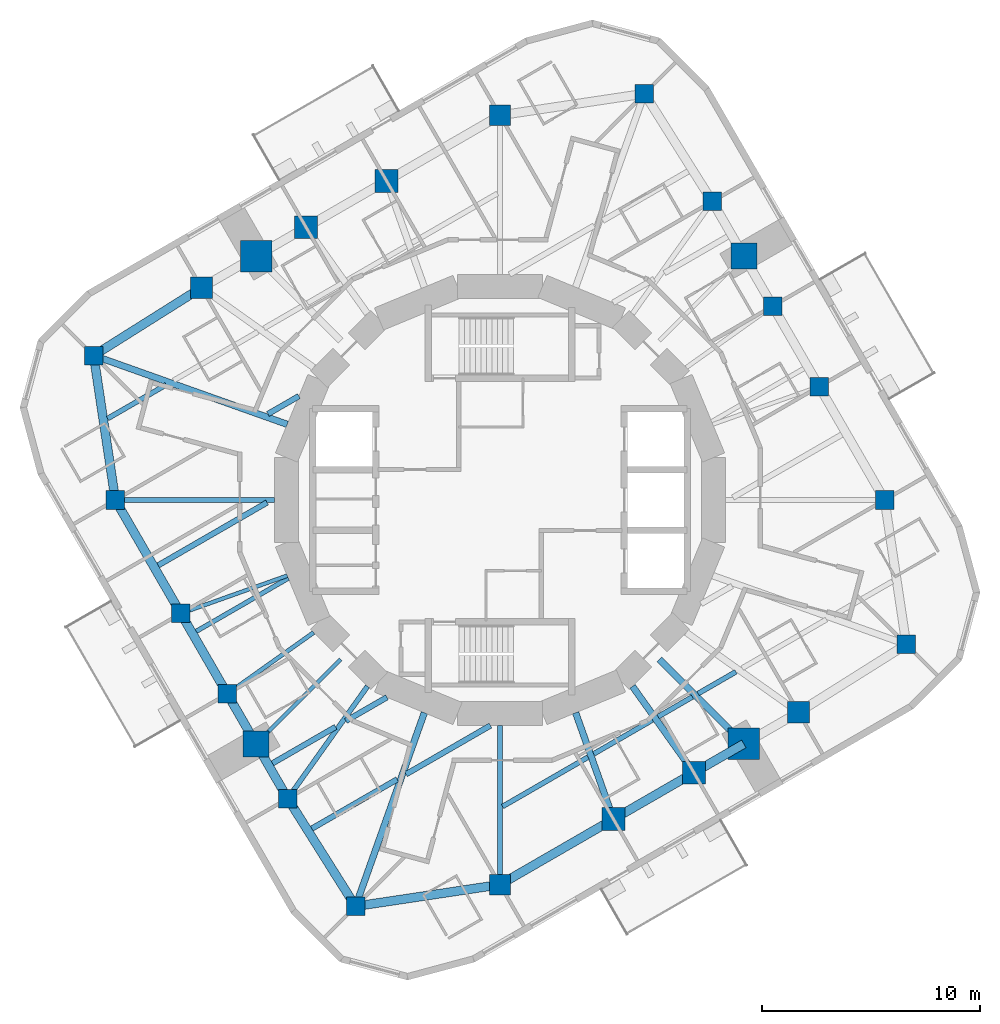
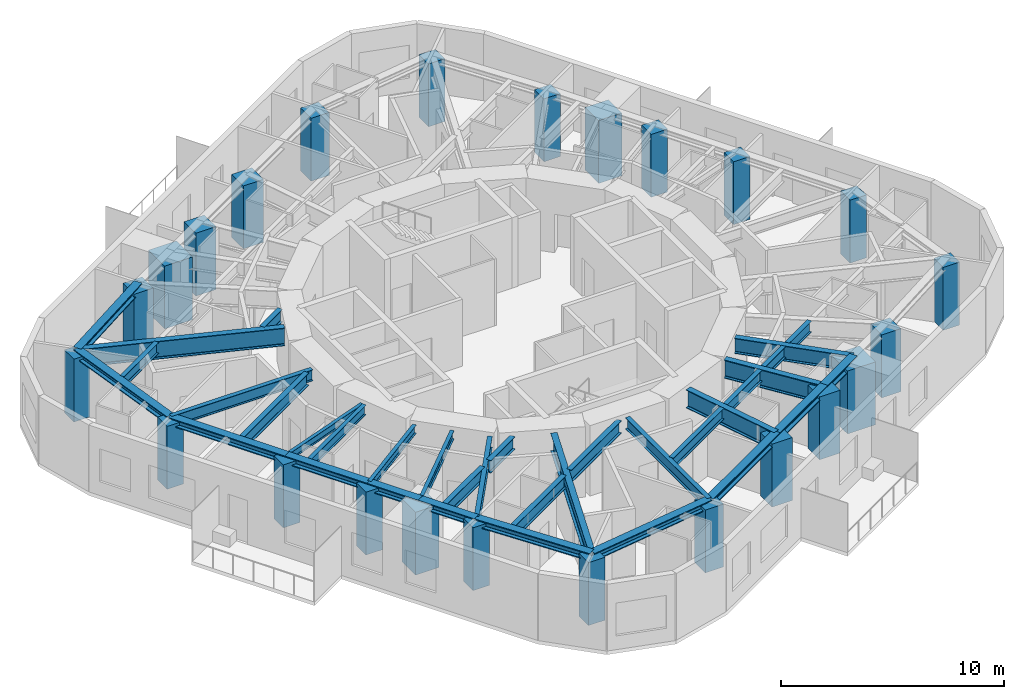
# One storey, part 1 of 11: 24 columns, 23 beams, 11 members.
"""IFC4 building model written with IfcOpenShell, lengths in metres."""

from ifc_helpers import new_model, si_unit, direction, frame, origin, origin_2d, place, context, subcontext, project, spatial, rectangle, i_section, extrude, material, material_profile, profile_set, type_object, element, save


model = new_model("IFC4")

# Units and contexts
model_context = context("Model", 3, precision=1e-05, world=origin(), true_north=direction((0.0, 1.0)))
body_context = subcontext(model_context, "Body", "Model", "MODEL_VIEW")
ifc_project = project(units=[si_unit("LENGTHUNIT", "METRE"), si_unit("AREAUNIT", "SQUARE_METRE"), si_unit("VOLUMEUNIT", "CUBIC_METRE"), si_unit("PLANEANGLEUNIT", "RADIAN"), si_unit("MASSUNIT", "GRAM", prefix="KILO")], contexts=[model_context])

# Site, building, storey
site_placement = place(None, origin())
site = spatial("IfcSite", under=ifc_project, at=site_placement, CompositionType="ELEMENT")
building_placement = place(site_placement, origin())
building = spatial("IfcBuilding", under=site, at=building_placement, Name="Nakasero Lantern House", CompositionType="ELEMENT")
storey_placement = place(building_placement, frame((0.0, 0.0, 253.89990234375)))
storey = spatial("IfcBuildingStorey", under=building, at=storey_placement, Name="L62", CompositionType="ELEMENT", Elevation=253.89990234375)

# Columns
ifc_material_1 = material(Name="Concrete C45/55", Category="concrete")
ifc_material_profile_1 = material_profile(ifc_material_1, rectangle(XDim=1.199951171875, YDim=1.199951171875, at=origin_2d()), Name="RC 1200x1200")
ifc_profile_set_1 = profile_set([ifc_material_profile_1], Name="Concrete C45/55")
column_type_1 = type_object("IfcColumnType", Name="Mega column RC 1200x1200 C45/55", PredefinedType="COLUMN", material=ifc_profile_set_1)
for number, where, z_axis, x_axis, name in (
    (1, (11.200439453125, 11.200439453125, 0.0), (0.0, 0.0, 1.0), (1.0, 0.0, 0.0), "Column B6-C06 L62"),
    (2, (-11.200439453125, -11.200439453125, 0.0), (0.0, 0.0, 1.0), (1.0, 0.0, 0.0), "Column B6-C18 L62"),
):
    element("IfcColumn", number, at=place(storey_placement, frame(where, z_axis=z_axis, x_axis=x_axis)), inside=storey, type_object=column_type_1, Name=name, PredefinedType="COLUMN", context=body_context, shape_type="SweptSolid", body=[
        extrude(rectangle(XDim=1.199951171875, YDim=1.199951171875, at=origin_2d()), origin(), (0.0, 0.0, 1.0), 3.440673828125),
    ])
ifc_material_2 = material(Name="Concrete C45/55", Category="concrete")
ifc_material_profile_2 = material_profile(ifc_material_2, rectangle(XDim=1.449951171875, YDim=1.449951171875, at=origin_2d()), Name="RC 1450x1450")
ifc_profile_set_2 = profile_set([ifc_material_profile_2], Name="Concrete C45/55")
column_type_2 = type_object("IfcColumnType", Name="Mega column RC 1450x1450 C45/55", PredefinedType="COLUMN", material=ifc_profile_set_2)
for number, where, z_axis, x_axis, name in (
    (3, (-11.200439453125, 11.200439453125, 0.0), (0.0, 0.0, 1.0), (1.0, 0.0, 0.0), "Column B6-C12 L62"),
    (4, (11.200439453125, -11.200439453125, 0.0), (0.0, 0.0, 1.0), (1.0, 0.0, 0.0), "Column B6-C24 L62"),
):
    element("IfcColumn", number, at=place(storey_placement, frame(where, z_axis=z_axis, x_axis=x_axis)), inside=storey, type_object=column_type_2, Name=name, PredefinedType="COLUMN", context=body_context, shape_type="SweptSolid", body=[
        extrude(rectangle(XDim=1.449951171875, YDim=1.449951171875, at=origin_2d()), origin(), (0.0, 0.0, 1.0), 3.440673828125),
    ])
ifc_material_3 = material(Name="Concrete C45/55", Category="concrete")
ifc_material_profile_3 = material_profile(ifc_material_3, rectangle(XDim=1.0, YDim=1.0, at=origin_2d()), Name="RC 1000x1000")
ifc_profile_set_3 = profile_set([ifc_material_profile_3], Name="Concrete C45/55")
column_type_3 = type_object("IfcColumnType", Name="Ring column RC 1000x1000 C45/55", PredefinedType="COLUMN", material=ifc_profile_set_3)
for number, where, z_axis, x_axis, name in (
    (5, (13.711669921875, -9.75048828125, 0.0), (0.0, 0.0, 1.0), (1.0, 0.0, 0.0), "Column B6-C01 L62"),
    (6, (-13.711669921875, 9.75048828125, 0.0), (0.0, 0.0, 1.0), (1.0, 0.0, 0.0), "Column B6-C13 L62"),
):
    element("IfcColumn", number, at=place(storey_placement, frame(where, z_axis=z_axis, x_axis=x_axis)), inside=storey, type_object=column_type_3, Name=name, PredefinedType="COLUMN", context=body_context, shape_type="SweptSolid", body=[
        extrude(rectangle(XDim=1.0, YDim=1.0, at=origin_2d()), origin(), (0.0, 0.0, 1.0), 3.440673828125),
    ])
ifc_material_4 = material(Name="Concrete C45/55", Category="concrete")
ifc_material_profile_4 = material_profile(ifc_material_4, rectangle(XDim=1.050048828125, YDim=1.050048828125, at=origin_2d()), Name="RC 1050x1050")
ifc_profile_set_4 = profile_set([ifc_material_profile_4], Name="Concrete C45/55")
column_type_4 = type_object("IfcColumnType", Name="Ring column RC 1050x1050 C45/55", PredefinedType="COLUMN", material=ifc_profile_set_4)
for number, where, z_axis, x_axis, name in (
    (7, (-5.211669921875, 14.657958984375, 0.0), (0.0, 0.0, 1.0), (1.0, 0.0, 0.0), "Column B6-C10 L62"),
    (8, (-8.906494140625, 12.524658203125, 0.0), (0.0, 0.0, 1.0), (1.0, 0.0, 0.0), "Column B6-C11 L62"),
    (9, (5.211669921875, -14.657958984375, 0.0), (0.0, 0.0, 1.0), (1.0, 0.0, 0.0), "Column B6-C22 L62"),
    (10, (8.906494140625, -12.524658203125, 0.0), (0.0, 0.0, 1.0), (1.0, 0.0, 0.0), "Column B6-C23 L62"),
):
    element("IfcColumn", number, at=place(storey_placement, frame(where, z_axis=z_axis, x_axis=x_axis)), inside=storey, type_object=column_type_4, Name=name, PredefinedType="COLUMN", context=body_context, shape_type="SweptSolid", body=[
        extrude(rectangle(XDim=1.050048828125, YDim=1.050048828125, at=origin_2d()), origin(), (0.0, 0.0, 1.0), 3.440673828125),
    ])
ifc_material_5 = material(Name="Concrete C45/55", Category="concrete")
ifc_material_profile_5 = material_profile(ifc_material_5, rectangle(XDim=0.85009765625, YDim=0.85009765625, at=origin_2d()), Name="RC 850x850")
ifc_profile_set_5 = profile_set([ifc_material_profile_5], Name="Concrete C45/55")
column_type_5 = type_object("IfcColumnType", Name="Ring column RC 850x850 C45/55", PredefinedType="COLUMN", material=ifc_profile_set_5)
for number, where, z_axis, x_axis, name in (
    (11, (18.661376953125, -6.63525390625, 0.0), (0.0, 0.0, 1.0), (1.0, 0.0, 0.0), "Column B6-C02 L62"),
    (12, (17.6669921875, 0.0, 0.0), (0.0, 0.0, 1.0), (1.0, 0.0, 0.0), "Column B6-C03 L62"),
    (13, (14.657958984375, 5.211669921875, 0.0), (0.0, 0.0, 1.0), (1.0, 0.0, 0.0), "Column B6-C04 L62"),
    (14, (12.524658203125, 8.906494140625, 0.0), (0.0, 0.0, 1.0), (1.0, 0.0, 0.0), "Column B6-C05 L62"),
    (15, (9.75048828125, 13.711669921875, 0.0), (0.0, 0.0, 1.0), (1.0, 0.0, 0.0), "Column B6-C07 L62"),
    (16, (6.63525390625, 18.661376953125, 0.0), (0.0, 0.0, 1.0), (1.0, 0.0, 0.0), "Column B6-C08 L62"),
    (17, (-18.661376953125, 6.63525390625, 0.0), (0.0, 0.0, 1.0), (1.0, 0.0, 0.0), "Column B6-C14 L62"),
    (18, (-17.6669921875, 0.0, 0.0), (0.0, 0.0, 1.0), (1.0, 0.0, 0.0), "Column B6-C15 L62"),
    (19, (-14.657958984375, -5.211669921875, 0.0), (0.0, 0.0, 1.0), (1.0, 0.0, 0.0), "Column B6-C16 L62"),
    (20, (-12.524658203125, -8.906494140625, 0.0), (0.0, 0.0, 1.0), (1.0, 0.0, 0.0), "Column B6-C17 L62"),
    (21, (-9.75048828125, -13.711669921875, 0.0), (0.0, 0.0, 1.0), (1.0, 0.0, 0.0), "Column B6-C19 L62"),
    (22, (-6.63525390625, -18.661376953125, 0.0), (0.0, 0.0, 1.0), (1.0, 0.0, 0.0), "Column B6-C20 L62"),
):
    element("IfcColumn", number, at=place(storey_placement, frame(where, z_axis=z_axis, x_axis=x_axis)), inside=storey, type_object=column_type_5, Name=name, PredefinedType="COLUMN", context=body_context, shape_type="SweptSolid", body=[
        extrude(rectangle(XDim=0.85009765625, YDim=0.85009765625, at=origin_2d()), origin(), (0.0, 0.0, 1.0), 3.440673828125),
    ])
ifc_material_6 = material(Name="Concrete C45/55", Category="concrete")
ifc_material_profile_6 = material_profile(ifc_material_6, rectangle(XDim=0.949951171875, YDim=0.949951171875, at=origin_2d()), Name="RC 950x950")
ifc_profile_set_6 = profile_set([ifc_material_profile_6], Name="Concrete C45/55")
column_type_6 = type_object("IfcColumnType", Name="Ring column RC 950x950 C45/55", PredefinedType="COLUMN", material=ifc_profile_set_6)
for number, where, z_axis, x_axis, name in (
    (23, (0.0, 17.6669921875, 0.0), (0.0, 0.0, 1.0), (1.0, 0.0, 0.0), "Column B6-C09 L62"),
    (24, (0.0, -17.6669921875, 0.0), (0.0, 0.0, 1.0), (1.0, 0.0, 0.0), "Column B6-C21 L62"),
):
    element("IfcColumn", number, at=place(storey_placement, frame(where, z_axis=z_axis, x_axis=x_axis)), inside=storey, type_object=column_type_6, Name=name, PredefinedType="COLUMN", context=body_context, shape_type="SweptSolid", body=[
        extrude(rectangle(XDim=0.949951171875, YDim=0.949951171875, at=origin_2d()), origin(), (0.0, 0.0, 1.0), 3.440673828125),
    ])

# Members
ifc_material_7 = material(Name="Steel S355", Category="steel")
ifc_material_profile_7 = material_profile(ifc_material_7, i_section(OverallWidth=0.406982421875, OverallDepth=0.4189453125, WebThickness=0.030517578125, FlangeThickness=0.04931640625, FilletRadius=0.01513671875, at=origin_2d()), Name="UC 356x406x393")
ifc_profile_set_7 = profile_set([ifc_material_profile_7], Name="Steel S355")
member_type = type_object("IfcMemberType", Name="Belt truss chord UC 356x406x393", PredefinedType="CHORD", material=ifc_profile_set_7)
member_1_placement = place(storey_placement, frame((-13.711669921875, 9.75048828125, 3.440673828125), z_axis=(-0.846329027393, -0.532660471024, 0.0), x_axis=(0.532660471024, -0.846329027393, 0.0)))
element("IfcMember", 25, at=member_1_placement, inside=storey, type_object=member_type, Name="Belt truss bottom chord T6 B6-C13", PredefinedType="CHORD", context=body_context, shape_type="SweptSolid", body=[
    extrude(i_section(OverallWidth=0.406982421875, OverallDepth=0.4189453125, WebThickness=0.030517578125, FlangeThickness=0.04931640625, FilletRadius=0.01513671875, at=origin_2d()), origin(), (0.0, 0.0, 1.0), 5.848388671875),
])
member_2_placement = place(storey_placement, frame((-18.661376953125, 6.63525390625, 3.440673828125), z_axis=(0.148208778253, -0.988956095107, 0.0), x_axis=(0.988956095107, 0.148208778253, 0.0)))
element("IfcMember", 26, at=member_2_placement, inside=storey, type_object=member_type, Name="Belt truss bottom chord T6 B6-C14", PredefinedType="CHORD", context=body_context, shape_type="SweptSolid", body=[
    extrude(i_section(OverallWidth=0.406982421875, OverallDepth=0.4189453125, WebThickness=0.030517578125, FlangeThickness=0.04931640625, FilletRadius=0.01513671875, at=origin_2d()), origin(), (0.0, 0.0, 1.0), 6.70947265625),
])
member_3_placement = place(storey_placement, frame((-17.6669921875, 0.0, 3.440673828125), z_axis=(0.50000924366, -0.866020066889, 0.0), x_axis=(0.866020066889, 0.50000924366, 0.0)))
element("IfcMember", 27, at=member_3_placement, inside=storey, type_object=member_type, Name="Belt truss bottom chord T6 B6-C15", PredefinedType="CHORD", context=body_context, shape_type="SweptSolid", body=[
    extrude(i_section(OverallWidth=0.406982421875, OverallDepth=0.4189453125, WebThickness=0.030517578125, FlangeThickness=0.04931640625, FilletRadius=0.01513671875, at=origin_2d()), origin(), (0.0, 0.0, 1.0), 6.01806640625),
])
member_4_placement = place(storey_placement, frame((-14.657958984375, -5.211669921875, 3.440673828125), z_axis=(0.500016352561, -0.866015962423, 0.0), x_axis=(0.866015962423, 0.500016352561, 0.0)))
element("IfcMember", 28, at=member_4_placement, inside=storey, type_object=member_type, Name="Belt truss bottom chord T6 B6-C16", PredefinedType="CHORD", context=body_context, shape_type="SweptSolid", body=[
    extrude(i_section(OverallWidth=0.406982421875, OverallDepth=0.4189453125, WebThickness=0.030517578125, FlangeThickness=0.04931640625, FilletRadius=0.01513671875, at=origin_2d()), origin(), (0.0, 0.0, 1.0), 4.266357421875),
])
member_5_placement = place(storey_placement, frame((-12.524658203125, -8.906494140625, 3.440673828125), z_axis=(0.499945861543, -0.866056658381, 0.0), x_axis=(0.866056658381, 0.499945861543, 0.0)))
element("IfcMember", 29, at=member_5_placement, inside=storey, type_object=member_type, Name="Belt truss bottom chord T6 B6-C17", PredefinedType="CHORD", context=body_context, shape_type="SweptSolid", body=[
    extrude(i_section(OverallWidth=0.406982421875, OverallDepth=0.4189453125, WebThickness=0.030517578125, FlangeThickness=0.04931640625, FilletRadius=0.01513671875, at=origin_2d()), origin(), (0.0, 0.0, 1.0), 2.648681640625),
])
member_6_placement = place(storey_placement, frame((-11.200439453125, -11.200439453125, 3.440673828125), z_axis=(0.500023687443, -0.866011727401, 0.0), x_axis=(0.866011727401, 0.500023687443, 0.0)))
element("IfcMember", 30, at=member_6_placement, inside=storey, type_object=member_type, Name="Belt truss bottom chord T6 B6-C18", PredefinedType="CHORD", context=body_context, shape_type="SweptSolid", body=[
    extrude(i_section(OverallWidth=0.406982421875, OverallDepth=0.4189453125, WebThickness=0.030517578125, FlangeThickness=0.04931640625, FilletRadius=0.01513671875, at=origin_2d()), origin(), (0.0, 0.0, 1.0), 2.899658203125),
])
member_7_placement = place(storey_placement, frame((-9.75048828125, -13.711669921875, 3.440673828125), z_axis=(0.532660471024, -0.846329027393, 0.0), x_axis=(0.846329027393, 0.532660471024, 0.0)))
element("IfcMember", 31, at=member_7_placement, inside=storey, type_object=member_type, Name="Belt truss bottom chord T6 B6-C19", PredefinedType="CHORD", context=body_context, shape_type="SweptSolid", body=[
    extrude(i_section(OverallWidth=0.406982421875, OverallDepth=0.4189453125, WebThickness=0.030517578125, FlangeThickness=0.04931640625, FilletRadius=0.01513671875, at=origin_2d()), origin(), (0.0, 0.0, 1.0), 5.848388671875),
])
member_8_placement = place(storey_placement, frame((-6.63525390625, -18.661376953125, 3.440673828125), z_axis=(0.988956095107, 0.148208778253, 0.0), x_axis=(-0.148208778253, 0.988956095107, 0.0)))
element("IfcMember", 32, at=member_8_placement, inside=storey, type_object=member_type, Name="Belt truss bottom chord T6 B6-C20", PredefinedType="CHORD", context=body_context, shape_type="SweptSolid", body=[
    extrude(i_section(OverallWidth=0.406982421875, OverallDepth=0.4189453125, WebThickness=0.030517578125, FlangeThickness=0.04931640625, FilletRadius=0.01513671875, at=origin_2d()), origin(), (0.0, 0.0, 1.0), 6.70947265625),
])
member_9_placement = place(storey_placement, frame((0.0, -17.6669921875, 3.440673828125), z_axis=(0.866020066889, 0.50000924366, 0.0), x_axis=(-0.50000924366, 0.866020066889, 0.0)))
element("IfcMember", 33, at=member_9_placement, inside=storey, type_object=member_type, Name="Belt truss bottom chord T6 B6-C21", PredefinedType="CHORD", context=body_context, shape_type="SweptSolid", body=[
    extrude(i_section(OverallWidth=0.406982421875, OverallDepth=0.4189453125, WebThickness=0.030517578125, FlangeThickness=0.04931640625, FilletRadius=0.01513671875, at=origin_2d()), origin(), (0.0, 0.0, 1.0), 6.01806640625),
])
member_10_placement = place(storey_placement, frame((5.211669921875, -14.657958984375, 3.440673828125), z_axis=(0.866015962423, 0.500016352561, 0.0), x_axis=(-0.500016352561, 0.866015962423, 0.0)))
element("IfcMember", 34, at=member_10_placement, inside=storey, type_object=member_type, Name="Belt truss bottom chord T6 B6-C22", PredefinedType="CHORD", context=body_context, shape_type="SweptSolid", body=[
    extrude(i_section(OverallWidth=0.406982421875, OverallDepth=0.4189453125, WebThickness=0.030517578125, FlangeThickness=0.04931640625, FilletRadius=0.01513671875, at=origin_2d()), origin(), (0.0, 0.0, 1.0), 4.266357421875),
])
member_11_placement = place(storey_placement, frame((8.906494140625, -12.524658203125, 3.440673828125), z_axis=(0.866056658381, 0.499945861543, 0.0), x_axis=(-0.499945861543, 0.866056658381, 0.0)))
element("IfcMember", 35, at=member_11_placement, inside=storey, type_object=member_type, Name="Belt truss bottom chord T6 B6-C23", PredefinedType="CHORD", context=body_context, shape_type="SweptSolid", body=[
    extrude(i_section(OverallWidth=0.406982421875, OverallDepth=0.4189453125, WebThickness=0.030517578125, FlangeThickness=0.04931640625, FilletRadius=0.01513671875, at=origin_2d()), origin(), (0.0, 0.0, 1.0), 2.648681640625),
])

# Beams
ifc_material_8 = material(Name="Steel S355", Category="steel")
ifc_material_profile_8 = material_profile(ifc_material_8, i_section(OverallWidth=0.208740234375, OverallDepth=0.5283203125, WebThickness=0.009521484375, FlangeThickness=0.01318359375, FilletRadius=0.0126953125, at=origin_2d()), Name="UB 533x210x82")
ifc_profile_set_8 = profile_set([ifc_material_profile_8], Name="Steel S355")
beam_type_1 = type_object("IfcBeamType", Name="Infill beam UB 533x210x82", PredefinedType="JOIST", material=ifc_profile_set_8)
beam_1_placement = place(storey_placement, frame((-13.948974609375, -6.03271484375, 3.385986328125), z_axis=(0.866011447264, 0.500024172624, 0.0), x_axis=(-0.500024172624, 0.866011447264, 0.0)))
element("IfcBeam", 36, at=beam_1_placement, inside=storey, type_object=beam_type_1, Name="Infill beam L63 07.1", PredefinedType="JOIST", context=body_context, shape_type="SweptSolid", body=[
    extrude(i_section(OverallWidth=0.208740234375, OverallDepth=0.5283203125, WebThickness=0.009521484375, FlangeThickness=0.01318359375, FilletRadius=0.0126953125, at=origin_2d()), origin(), (0.0, 0.0, 1.0), 4.879638671875),
])
ifc_material_9 = material(Name="Steel S355", Category="steel")
ifc_material_profile_9 = material_profile(ifc_material_9, i_section(OverallWidth=0.22900390625, OverallDepth=0.6123046875, WebThickness=0.011962890625, FlangeThickness=0.01953125, FilletRadius=0.0126953125, at=origin_2d()), Name="UB 610x229x125")
ifc_profile_set_9 = profile_set([ifc_material_profile_9], Name="Steel S355")
beam_type_2 = type_object("IfcBeamType", Name="Infill beam UB 610x229x125", PredefinedType="JOIST", material=ifc_profile_set_9)
beam_2_placement = place(storey_placement, frame((0.114501953125, -14.078857421875, 3.343994140625), z_axis=(0.866047486323, 0.49996174997, 0.0), x_axis=(-0.49996174997, 0.866047486323, 0.0)))
element("IfcBeam", 37, at=beam_2_placement, inside=storey, type_object=beam_type_2, Name="Infill beam L63 03.1", PredefinedType="JOIST", context=body_context, shape_type="SweptSolid", body=[
    extrude(i_section(OverallWidth=0.22900390625, OverallDepth=0.6123046875, WebThickness=0.011962890625, FlangeThickness=0.01953125, FilletRadius=0.0126953125, at=origin_2d()), origin(), (0.0, 0.0, 1.0), 4.533447265625),
])
beam_3_placement = place(storey_placement, frame((4.304931640625, -11.65966796875, 3.343994140625), z_axis=(0.866018346476, 0.500012223418, 0.0), x_axis=(-0.500012223418, 0.866018346476, 0.0)))
element("IfcBeam", 38, at=beam_3_placement, inside=storey, type_object=beam_type_2, Name="Infill beam L63 03.2", PredefinedType="JOIST", context=body_context, shape_type="SweptSolid", body=[
    extrude(i_section(OverallWidth=0.22900390625, OverallDepth=0.6123046875, WebThickness=0.011962890625, FlangeThickness=0.01953125, FilletRadius=0.0126953125, at=origin_2d()), origin(), (0.0, 0.0, 1.0), 3.11181640625),
])
beam_4_placement = place(storey_placement, frame((7.262451171875, -9.9521484375, 3.343994140625), z_axis=(0.865977542148, 0.500082889625, 0.0), x_axis=(-0.500082889625, 0.865977542148, 0.0)))
element("IfcBeam", 39, at=beam_4_placement, inside=storey, type_object=beam_type_2, Name="Infill beam L63 03.3", PredefinedType="JOIST", context=body_context, shape_type="SweptSolid", body=[
    extrude(i_section(OverallWidth=0.22900390625, OverallDepth=0.6123046875, WebThickness=0.011962890625, FlangeThickness=0.01953125, FilletRadius=0.0126953125, at=origin_2d()), origin(), (0.0, 0.0, 1.0), 1.817626953125),
])
beam_5_placement = place(storey_placement, frame((9.0986328125, -8.891845703125, 3.343994140625), z_axis=(0.866039626416, 0.499975364871, 0.0), x_axis=(-0.499975364871, 0.866039626416, 0.0)))
element("IfcBeam", 40, at=beam_5_placement, inside=storey, type_object=beam_type_2, Name="Infill beam L63 03.4", PredefinedType="JOIST", context=body_context, shape_type="SweptSolid", body=[
    extrude(i_section(OverallWidth=0.22900390625, OverallDepth=0.6123046875, WebThickness=0.011962890625, FlangeThickness=0.01953125, FilletRadius=0.0126953125, at=origin_2d()), origin(), (0.0, 0.0, 1.0), 2.00537109375),
])
beam_6_placement = place(storey_placement, frame((-18.021728515625, 3.740234375, 3.343994140625), z_axis=(0.866037611359, 0.499978855264, 0.0), x_axis=(-0.499978855264, 0.866037611359, 0.0)))
element("IfcBeam", 41, at=beam_6_placement, inside=storey, type_object=beam_type_2, Name="Infill beam L63 10.1", PredefinedType="JOIST", context=body_context, shape_type="SweptSolid", body=[
    extrude(i_section(OverallWidth=0.22900390625, OverallDepth=0.6123046875, WebThickness=0.011962890625, FlangeThickness=0.01953125, FilletRadius=0.0126953125, at=origin_2d()), origin(), (0.0, 0.0, 1.0), 3.104736328125),
])
ifc_material_10 = material(Name="Steel S355", Category="steel")
ifc_material_profile_10 = material_profile(ifc_material_10, i_section(OverallWidth=0.255859375, OverallDepth=0.69287109375, WebThickness=0.014404296875, FlangeThickness=0.023681640625, FilletRadius=0.01513671875, at=origin_2d()), Name="UB 686x254x170")
ifc_profile_set_10 = profile_set([ifc_material_profile_10], Name="Steel S355")
beam_type_3 = type_object("IfcBeamType", Name="Infill beam UB 686x254x170", PredefinedType="JOIST", material=ifc_profile_set_10)
beam_7_placement = place(storey_placement, frame((-8.640869140625, -15.092529296875, 3.3037109375), z_axis=(0.866014036527, 0.500019688151, 0.0), x_axis=(-0.500019688151, 0.866014036527, 0.0)))
element("IfcBeam", 42, at=beam_7_placement, inside=storey, type_object=beam_type_3, Name="Infill beam L63 04.1", PredefinedType="JOIST", context=body_context, shape_type="SweptSolid", body=[
    extrude(i_section(OverallWidth=0.255859375, OverallDepth=0.69287109375, WebThickness=0.014404296875, FlangeThickness=0.023681640625, FilletRadius=0.01513671875, at=origin_2d()), origin(), (0.0, 0.0, 1.0), 4.526611328125),
])
beam_8_placement = place(storey_placement, frame((-4.320068359375, -12.597900390625, 3.3037109375), z_axis=(0.866017690131, 0.500013360201, 0.0), x_axis=(-0.500013360201, 0.866017690131, 0.0)))
element("IfcBeam", 43, at=beam_8_placement, inside=storey, type_object=beam_type_3, Name="Infill beam L63 04.2", PredefinedType="JOIST", context=body_context, shape_type="SweptSolid", body=[
    extrude(i_section(OverallWidth=0.255859375, OverallDepth=0.69287109375, WebThickness=0.014404296875, FlangeThickness=0.023681640625, FilletRadius=0.01513671875, at=origin_2d()), origin(), (0.0, 0.0, 1.0), 4.47998046875),
])
beam_9_placement = place(storey_placement, frame((-10.448974609375, -12.094970703125, 3.3037109375), z_axis=(0.866003368332, 0.500038164582, 0.0), x_axis=(-0.500038164582, 0.866003368332, 0.0)))
element("IfcBeam", 44, at=beam_9_placement, inside=storey, type_object=beam_type_3, Name="Infill beam L63 05.1", PredefinedType="JOIST", context=body_context, shape_type="SweptSolid", body=[
    extrude(i_section(OverallWidth=0.255859375, OverallDepth=0.69287109375, WebThickness=0.014404296875, FlangeThickness=0.023681640625, FilletRadius=0.01513671875, at=origin_2d()), origin(), (0.0, 0.0, 1.0), 3.346923828125),
])
beam_10_placement = place(storey_placement, frame((-7.07666015625, -10.14794921875, 3.3037109375), z_axis=(0.866017369001, 0.500013916395, 0.0), x_axis=(-0.500013916395, 0.866017369001, 0.0)))
element("IfcBeam", 45, at=beam_10_placement, inside=storey, type_object=beam_type_3, Name="Infill beam L63 05.2", PredefinedType="JOIST", context=body_context, shape_type="SweptSolid", body=[
    extrude(i_section(OverallWidth=0.255859375, OverallDepth=0.69287109375, WebThickness=0.014404296875, FlangeThickness=0.023681640625, FilletRadius=0.01513671875, at=origin_2d()), origin(), (0.0, 0.0, 1.0), 2.17529296875),
])
beam_11_placement = place(storey_placement, frame((-15.698974609375, -3.001708984375, 3.3037109375), z_axis=(0.866022942541, 0.500004262974, 0.0), x_axis=(-0.500004262974, 0.866022942541, 0.0)))
element("IfcBeam", 46, at=beam_11_placement, inside=storey, type_object=beam_type_3, Name="Infill beam L63 08.1", PredefinedType="JOIST", context=body_context, shape_type="SweptSolid", body=[
    extrude(i_section(OverallWidth=0.255859375, OverallDepth=0.69287109375, WebThickness=0.014404296875, FlangeThickness=0.023681640625, FilletRadius=0.01513671875, at=origin_2d()), origin(), (0.0, 0.0, 1.0), 5.7744140625),
])
beam_12_placement = place(storey_placement, frame((-10.65966796875, 3.94921875, 3.3037109375), z_axis=(0.866024987556, 0.500000720929, 0.0), x_axis=(-0.500000720929, 0.866024987556, 0.0)))
element("IfcBeam", 47, at=beam_12_placement, inside=storey, type_object=beam_type_3, Name="Infill beam L63 09.1", PredefinedType="JOIST", context=body_context, shape_type="SweptSolid", body=[
    extrude(i_section(OverallWidth=0.255859375, OverallDepth=0.69287109375, WebThickness=0.014404296875, FlangeThickness=0.023681640625, FilletRadius=0.01513671875, at=origin_2d()), origin(), (0.0, 0.0, 1.0), 1.6455078125),
])
ifc_material_11 = material(Name="Steel S355", Category="steel")
ifc_material_profile_11 = material_profile(ifc_material_11, i_section(OverallWidth=0.300048828125, OverallDepth=0.97998046875, WebThickness=0.0166015625, FlangeThickness=0.02587890625, FilletRadius=0.030029296875, at=origin_2d()), Name="UB 1016x305x249")
ifc_profile_set_11 = profile_set([ifc_material_profile_11], Name="Steel S355")
beam_type_4 = type_object("IfcBeamType", Name="Primary beam UB 1016x305x249, span 9 to 12 m", PredefinedType="BEAM", material=ifc_profile_set_11)
for number, where, z_axis, x_axis, name in (
    (48, (-18.661376953125, 6.63525390625, 3.16015625), (0.942215779364, -0.335006604588, 0.0), (0.335006604588, 0.942215779364, 0.0), "Primary beam L63 B6-C14"),
    (49, (-6.63525390625, -18.661376953125, 3.16015625), (0.335006604588, 0.942215779364, 0.0), (-0.942215779364, 0.335006604588, 0.0), "Primary beam L63 B6-C20"),
):
    element("IfcBeam", number, at=place(storey_placement, frame(where, z_axis=z_axis, x_axis=x_axis)), inside=storey, type_object=beam_type_4, Name=name, PredefinedType="BEAM", context=body_context, shape_type="SweptSolid", body=[
        extrude(i_section(OverallWidth=0.300048828125, OverallDepth=0.97998046875, WebThickness=0.0166015625, FlangeThickness=0.02587890625, FilletRadius=0.030029296875, at=origin_2d()), origin(), (0.0, 0.0, 1.0), 9.4345703125),
    ])
ifc_material_12 = material(Name="Steel S355", Category="steel")
ifc_material_profile_12 = material_profile(ifc_material_12, i_section(OverallWidth=0.300048828125, OverallDepth=1.0, WebThickness=0.01904296875, FlangeThickness=0.035888671875, FilletRadius=0.030029296875, at=origin_2d()), Name="UB 1016x305x314")
ifc_profile_set_12 = profile_set([ifc_material_profile_12], Name="Steel S355")
beam_type_5 = type_object("IfcBeamType", Name="Primary beam UB 1016x305x314, span to 6 m", PredefinedType="BEAM", material=ifc_profile_set_12)
beam_13_placement = place(storey_placement, frame((5.211669921875, -14.657958984375, 3.150146484375), z_axis=(-0.334979016533, 0.942225587894, 0.0), x_axis=(-0.942225587894, -0.334979016533, 0.0)))
element("IfcBeam", 50, at=beam_13_placement, inside=storey, type_object=beam_type_5, Name="Primary beam L63 B6-C22", PredefinedType="BEAM", context=body_context, shape_type="SweptSolid", body=[
    extrude(i_section(OverallWidth=0.300048828125, OverallDepth=1.0, WebThickness=0.01904296875, FlangeThickness=0.035888671875, FilletRadius=0.030029296875, at=origin_2d()), origin(), (0.0, 0.0, 1.0), 5.185546875),
])
ifc_material_13 = material(Name="Steel S355", Category="steel")
ifc_material_profile_13 = material_profile(ifc_material_13, i_section(OverallWidth=0.302001953125, OverallDepth=1.008056640625, WebThickness=0.02099609375, FlangeThickness=0.0400390625, FilletRadius=0.030029296875, at=origin_2d()), Name="UB 1016x305x349")
ifc_profile_set_13 = profile_set([ifc_material_profile_13], Name="Steel S355")
beam_type_6 = type_object("IfcBeamType", Name="Primary beam UB 1016x305x349, span to 6 m", PredefinedType="BEAM", material=ifc_profile_set_13)
beam_14_placement = place(storey_placement, frame((8.906494140625, -12.524658203125, 3.14599609375), z_axis=(-0.579513415446, 0.814962699342, 0.0), x_axis=(-0.814962699342, -0.579513415446, 0.0)))
element("IfcBeam", 51, at=beam_14_placement, inside=storey, type_object=beam_type_6, Name="Primary beam L63 B6-C23", PredefinedType="BEAM", context=body_context, shape_type="SweptSolid", body=[
    extrude(i_section(OverallWidth=0.302001953125, OverallDepth=1.008056640625, WebThickness=0.02099609375, FlangeThickness=0.0400390625, FilletRadius=0.030029296875, at=origin_2d()), origin(), (0.0, 0.0, 1.0), 4.8642578125),
])
ifc_material_14 = material(Name="Steel S355", Category="steel")
ifc_material_profile_14 = material_profile(ifc_material_14, i_section(OverallWidth=0.177978515625, OverallDepth=0.406494140625, WebThickness=0.0078125, FlangeThickness=0.0126953125, FilletRadius=0.01025390625, at=origin_2d()), Name="UB 406x178x60")
ifc_profile_set_14 = profile_set([ifc_material_profile_14], Name="Steel S355")
beam_type_7 = type_object("IfcBeamType", Name="Primary beam UB 406x178x60, span to 6 m", PredefinedType="BEAM", material=ifc_profile_set_14)
beam_15_placement = place(storey_placement, frame((-14.657958984375, -5.211669921875, 3.44677734375), z_axis=(0.942225587894, 0.334979016533, 0.0), x_axis=(-0.334979016533, 0.942225587894, 0.0)))
element("IfcBeam", 52, at=beam_15_placement, inside=storey, type_object=beam_type_7, Name="Primary beam L63 B6-C16", PredefinedType="BEAM", context=body_context, shape_type="SweptSolid", body=[
    extrude(i_section(OverallWidth=0.177978515625, OverallDepth=0.406494140625, WebThickness=0.0078125, FlangeThickness=0.0126953125, FilletRadius=0.01025390625, at=origin_2d()), origin(), (0.0, 0.0, 1.0), 5.185546875),
])
ifc_material_15 = material(Name="Steel S355", Category="steel")
ifc_material_profile_15 = material_profile(ifc_material_15, i_section(OverallWidth=0.18994140625, OverallDepth=0.453369140625, WebThickness=0.008544921875, FlangeThickness=0.0126953125, FilletRadius=0.01025390625, at=origin_2d()), Name="UB 457x191x67")
ifc_profile_set_15 = profile_set([ifc_material_profile_15], Name="Steel S355")
beam_type_8 = type_object("IfcBeamType", Name="Primary beam UB 457x191x67, span to 6 m", PredefinedType="BEAM", material=ifc_profile_set_15)
beam_16_placement = place(storey_placement, frame((-11.200439453125, -11.200439453125, 3.42333984375), z_axis=(0.707106781187, 0.707106781187, 0.0), x_axis=(-0.707106781187, 0.707106781187, 0.0)))
element("IfcBeam", 53, at=beam_16_placement, inside=storey, type_object=beam_type_8, Name="Primary beam L63 B6-C18", PredefinedType="BEAM", context=body_context, shape_type="SweptSolid", body=[
    extrude(i_section(OverallWidth=0.18994140625, OverallDepth=0.453369140625, WebThickness=0.008544921875, FlangeThickness=0.0126953125, FilletRadius=0.01025390625, at=origin_2d()), origin(), (0.0, 0.0, 1.0), 5.481689453125),
])
ifc_material_16 = material(Name="Steel S355", Category="steel")
ifc_material_profile_16 = material_profile(ifc_material_16, i_section(OverallWidth=0.19140625, OverallDepth=0.4599609375, WebThickness=0.010009765625, FlangeThickness=0.01611328125, FilletRadius=0.01025390625, at=origin_2d()), Name="UB 457x191x82")
ifc_profile_set_16 = profile_set([ifc_material_profile_16], Name="Steel S355")
beam_type_9 = type_object("IfcBeamType", Name="Primary beam UB 457x191x82, span to 6 m", PredefinedType="BEAM", material=ifc_profile_set_16)
beam_17_placement = place(storey_placement, frame((-12.524658203125, -8.906494140625, 3.420166015625), z_axis=(0.814962699342, 0.579513415446, 0.0), x_axis=(-0.579513415446, 0.814962699342, 0.0)))
element("IfcBeam", 54, at=beam_17_placement, inside=storey, type_object=beam_type_9, Name="Primary beam L63 B6-C17", PredefinedType="BEAM", context=body_context, shape_type="SweptSolid", body=[
    extrude(i_section(OverallWidth=0.19140625, OverallDepth=0.4599609375, WebThickness=0.010009765625, FlangeThickness=0.01611328125, FilletRadius=0.01025390625, at=origin_2d()), origin(), (0.0, 0.0, 1.0), 4.8642578125),
])
ifc_material_17 = material(Name="Steel S355", Category="steel")
ifc_material_profile_17 = material_profile(ifc_material_17, i_section(OverallWidth=0.2275390625, OverallDepth=0.6025390625, WebThickness=0.010498046875, FlangeThickness=0.014892578125, FilletRadius=0.0126953125, at=origin_2d()), Name="UB 610x229x101")
ifc_profile_set_17 = profile_set([ifc_material_profile_17], Name="Steel S355")
beam_type_10 = type_object("IfcBeamType", Name="Primary beam UB 610x229x101, span 6 to 9 m", PredefinedType="BEAM", material=ifc_profile_set_17)
beam_18_placement = place(storey_placement, frame((-9.75048828125, -13.711669921875, 3.348876953125), z_axis=(0.579504973637, 0.814968702178, 0.0), x_axis=(-0.814968702178, 0.579504973637, 0.0)))
element("IfcBeam", 55, at=beam_18_placement, inside=storey, type_object=beam_type_10, Name="Primary beam L63 B6-C19", PredefinedType="BEAM", context=body_context, shape_type="SweptSolid", body=[
    extrude(i_section(OverallWidth=0.2275390625, OverallDepth=0.6025390625, WebThickness=0.010498046875, FlangeThickness=0.014892578125, FilletRadius=0.0126953125, at=origin_2d()), origin(), (0.0, 0.0, 1.0), 6.320556640625),
])
ifc_material_18 = material(Name="Steel S355", Category="steel")
ifc_material_profile_18 = material_profile(ifc_material_18, i_section(OverallWidth=0.22900390625, OverallDepth=0.6123046875, WebThickness=0.011962890625, FlangeThickness=0.01953125, FilletRadius=0.0126953125, at=origin_2d()), Name="UB 610x229x125")
ifc_profile_set_18 = profile_set([ifc_material_profile_18], Name="Steel S355")
beam_type_11 = type_object("IfcBeamType", Name="Primary beam UB 610x229x125, span 6 to 9 m", PredefinedType="BEAM", material=ifc_profile_set_18)
for number, where, z_axis, x_axis, name in (
    (56, (-17.6669921875, 0.0, 3.343994140625), (1.0, 0.0, 0.0), (0.0, 1.0, 0.0), "Primary beam L63 B6-C15"),
    (57, (0.0, -17.6669921875, 3.343994140625), (0.0, 1.0, 0.0), (-1.0, 0.0, 0.0), "Primary beam L63 B6-C21"),
):
    element("IfcBeam", number, at=place(storey_placement, frame(where, z_axis=z_axis, x_axis=x_axis)), inside=storey, type_object=beam_type_11, Name=name, PredefinedType="BEAM", context=body_context, shape_type="SweptSolid", body=[
        extrude(i_section(OverallWidth=0.22900390625, OverallDepth=0.6123046875, WebThickness=0.011962890625, FlangeThickness=0.01953125, FilletRadius=0.0126953125, at=origin_2d()), origin(), (0.0, 0.0, 1.0), 7.30908203125),
    ])
ifc_material_19 = material(Name="Steel S355", Category="steel")
ifc_material_profile_19 = material_profile(ifc_material_19, i_section(OverallWidth=0.29248046875, OverallDepth=0.8408203125, WebThickness=0.0146484375, FlangeThickness=0.02685546875, FilletRadius=0.017822265625, at=origin_2d()), Name="UB 838x292x194")
ifc_profile_set_19 = profile_set([ifc_material_profile_19], Name="Steel S355")
beam_type_12 = type_object("IfcBeamType", Name="Primary beam UB 838x292x194, span to 6 m", PredefinedType="BEAM", material=ifc_profile_set_19)
beam_19_placement = place(storey_placement, frame((11.200439453125, -11.200439453125, 3.229736328125), z_axis=(-0.707106781187, 0.707106781187, 0.0), x_axis=(-0.707106781187, -0.707106781187, 0.0)))
element("IfcBeam", 58, at=beam_19_placement, inside=storey, type_object=beam_type_12, Name="Primary beam L63 B6-C24", PredefinedType="BEAM", context=body_context, shape_type="SweptSolid", body=[
    extrude(i_section(OverallWidth=0.29248046875, OverallDepth=0.8408203125, WebThickness=0.0146484375, FlangeThickness=0.02685546875, FilletRadius=0.017822265625, at=origin_2d()), origin(), (0.0, 0.0, 1.0), 5.481689453125),
])

save(model, "model.ifc")
